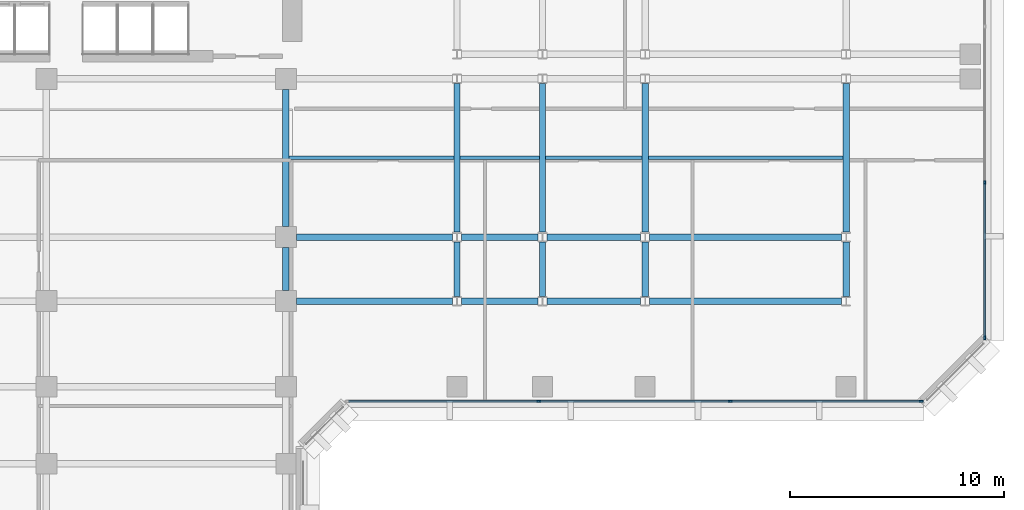
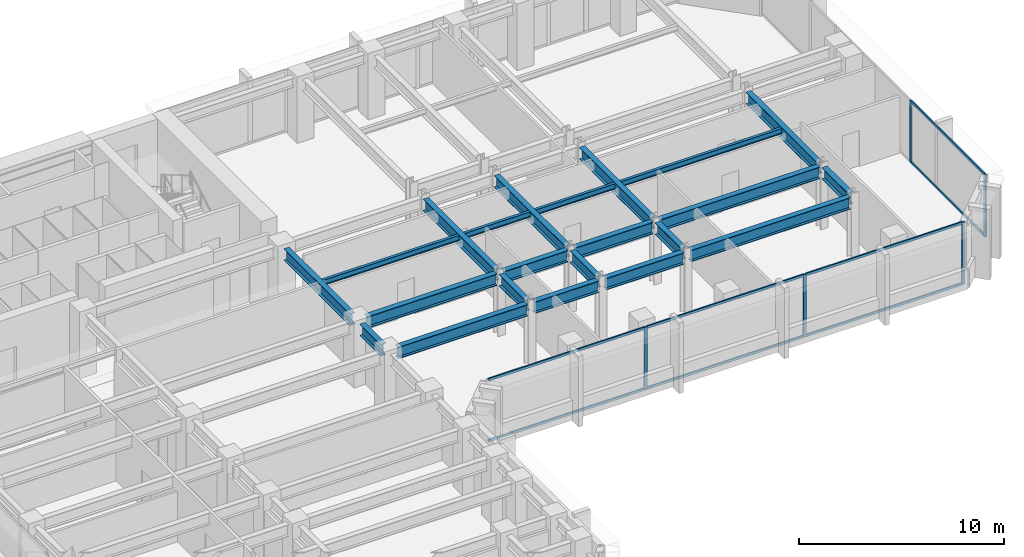
# One storey, part 3 of 13: 22 beams, 13 members, 2 elements without a shape of their own.
"""IFC4 building model written with IfcOpenShell, lengths in metres."""

from ifc_helpers import new_model, si_unit, direction, frame, origin, origin_2d, place, context, subcontext, project, spatial, rectangle, i_section, extrude, material, layer, layer_set, material_profile, profile_set, type_object, element, aggregate, save


model = new_model("IFC4")

# Units and contexts
model_context = context("Model", 3, precision=1e-05, world=origin(), true_north=direction((0.0, 1.0)))
body_context = subcontext(model_context, "Body", "Model", "MODEL_VIEW")
ifc_project = project(units=[si_unit("LENGTHUNIT", "METRE"), si_unit("AREAUNIT", "SQUARE_METRE"), si_unit("VOLUMEUNIT", "CUBIC_METRE"), si_unit("PLANEANGLEUNIT", "RADIAN"), si_unit("MASSUNIT", "GRAM", prefix="KILO")], contexts=[model_context])

# Site, building, storey
site_placement = place(None, origin())
site = spatial("IfcSite", under=ifc_project, at=site_placement, CompositionType="ELEMENT")
building_placement = place(site_placement, origin())
building = spatial("IfcBuilding", under=site, at=building_placement, Name="Kefirva Bronze Tower", CompositionType="ELEMENT")
storey_placement = place(building_placement, frame((0.0, 0.0, 106.590087890625)))
storey = spatial("IfcBuildingStorey", under=building, at=storey_placement, Name="L25", CompositionType="ELEMENT", Elevation=106.590087890625)

# Curtain wall, members
ifc_material_1 = material(Name="Bronze anodised aluminium", Category="aluminium")
ifc_layer = layer(ifc_material_1, 0.199951171875, Name="Bronze anodised aluminium")
ifc_layer_set = layer_set([ifc_layer], Name="Bronze anodised aluminium")
curtain_wall_type = type_object("IfcCurtainWallType", Name="Unitised Bronze Ribbon Curtain Wall Zone 1", PredefinedType="USERDEFINED", material=ifc_layer_set)
curtain_wall_1_placement = place(storey_placement, origin())
curtain_wall_1 = element("IfcCurtainWall", 1, at=curtain_wall_1_placement, inside=storey, type_object=curtain_wall_type, Name="L25 Curtain Wall 2", ObjectType="UNITISED CURTAIN WALL", PredefinedType="USERDEFINED")
ifc_material_profile_1 = material_profile(ifc_material_1, rectangle(XDim=0.074951171875, YDim=0.179931640625, at=origin_2d()), Name="ALU 75x180")
ifc_profile_set_1 = profile_set([ifc_material_profile_1], Name="Bronze anodised aluminium")
member_type_1 = type_object("IfcMemberType", Name="Bronze Mullion 75x180", PredefinedType="MULLION", material=ifc_profile_set_1)
member_1_placement = place(storey_placement, frame((35.018310546875, 18.1201171875, 0.0), z_axis=(0.0, 0.0, 1.0), x_axis=(0.0, 1.0, 0.0)))
member_1 = element("IfcMember", 2, at=member_1_placement, type_object=member_type_1, Name="CW-01 mullion 2", PredefinedType="MULLION", context=body_context, shape_type="SweptSolid", body=[
    extrude(rectangle(XDim=0.074951171875, YDim=0.179931640625, at=origin_2d()), origin(), (0.0, 0.0, 1.0), 3.7099609375),
])
member_2_placement = place(storey_placement, frame((43.981689453125, 18.1201171875, 0.0), z_axis=(0.0, 0.0, 1.0), x_axis=(0.0, 1.0, 0.0)))
member_2 = element("IfcMember", 3, at=member_2_placement, type_object=member_type_1, Name="CW-01 mullion 3", PredefinedType="MULLION", context=body_context, shape_type="SweptSolid", body=[
    extrude(rectangle(XDim=0.074951171875, YDim=0.179931640625, at=origin_2d()), origin(), (0.0, 0.0, 1.0), 3.7099609375),
])
member_3_placement = place(storey_placement, frame((52.907470703125, 18.1201171875, 0.0), z_axis=(0.0, 0.0, 1.0), x_axis=(0.0, 1.0, 0.0)))
member_3 = element("IfcMember", 4, at=member_3_placement, type_object=member_type_1, Name="CW-01 mullion 4", PredefinedType="MULLION", context=body_context, shape_type="SweptSolid", body=[
    extrude(rectangle(XDim=0.074951171875, YDim=0.179931640625, at=origin_2d()), origin(), (0.0, 0.0, 1.0), 3.7099609375),
])

curtain_wall_2_placement = place(storey_placement, origin())
curtain_wall_2 = element("IfcCurtainWall", 5, at=curtain_wall_2_placement, inside=storey, type_object=curtain_wall_type, Name="L25 Curtain Wall 3", ObjectType="UNITISED CURTAIN WALL", PredefinedType="USERDEFINED")
member_4_placement = place(storey_placement, frame((55.8798828125, 21.092529296875, 0.0), z_axis=(0.0, 0.0, 1.0), x_axis=(-1.0, 0.0, 0.0)))
member_4 = element("IfcMember", 6, at=member_4_placement, type_object=member_type_1, Name="CW-01 mullion 1", PredefinedType="MULLION", context=body_context, shape_type="SweptSolid", body=[
    extrude(rectangle(XDim=0.074951171875, YDim=0.179931640625, at=origin_2d()), origin(), (0.0, 0.0, 1.0), 3.7099609375),
])
member_5_placement = place(storey_placement, frame((55.8798828125, 28.3515625, 0.0), z_axis=(0.0, 0.0, 1.0), x_axis=(-1.0, 0.0, 0.0)))
member_5 = element("IfcMember", 7, at=member_5_placement, type_object=member_type_1, Name="CW-01 mullion 2", PredefinedType="MULLION", context=body_context, shape_type="SweptSolid", body=[
    extrude(rectangle(XDim=0.074951171875, YDim=0.179931640625, at=origin_2d()), origin(), (0.0, 0.0, 1.0), 3.7099609375),
])

# Member
ifc_material_profile_2 = material_profile(ifc_material_1, rectangle(XDim=0.074951171875, YDim=0.14990234375, at=origin_2d()), Name="ALU 75x150")
ifc_profile_set_2 = profile_set([ifc_material_profile_2], Name="Bronze anodised aluminium")
member_type_2 = type_object("IfcMemberType", Name="Bronze Transom 75x150", PredefinedType="USERDEFINED", material=ifc_profile_set_2)
member_6_placement = place(storey_placement, frame((26.1298828125, 18.1201171875, 0.037353515625), z_axis=(1.0, 0.0, 0.0), x_axis=(0.0, 1.0, 0.0)))
member_6 = element("IfcMember", 8, at=member_6_placement, type_object=member_type_2, Name="CW-01 transom 1.1", ObjectType="TRANSOM", PredefinedType="USERDEFINED", context=body_context, shape_type="SweptSolid", body=[
    extrude(rectangle(XDim=0.074951171875, YDim=0.14990234375, at=origin_2d()), origin(), (0.0, 0.0, 1.0), 8.850830078125),
])

member_7_placement = place(storey_placement, frame((26.1298828125, 18.1201171875, 3.67236328125), z_axis=(1.0, 0.0, 0.0), x_axis=(0.0, 1.0, 0.0)))
member_7 = element("IfcMember", 9, at=member_7_placement, type_object=member_type_2, Name="CW-01 transom 1.2", ObjectType="TRANSOM", PredefinedType="USERDEFINED", context=body_context, shape_type="SweptSolid", body=[
    extrude(rectangle(XDim=0.074951171875, YDim=0.14990234375, at=origin_2d()), origin(), (0.0, 0.0, 1.0), 8.850830078125),
])

member_8_placement = place(storey_placement, frame((35.055908203125, 18.1201171875, 0.037353515625), z_axis=(1.0, 0.0, 0.0), x_axis=(0.0, 1.0, 0.0)))
member_8 = element("IfcMember", 10, at=member_8_placement, type_object=member_type_2, Name="CW-01 transom 2.1", ObjectType="TRANSOM", PredefinedType="USERDEFINED", context=body_context, shape_type="SweptSolid", body=[
    extrude(rectangle(XDim=0.074951171875, YDim=0.14990234375, at=origin_2d()), origin(), (0.0, 0.0, 1.0), 8.88818359375),
])

member_9_placement = place(storey_placement, frame((35.055908203125, 18.1201171875, 3.67236328125), z_axis=(1.0, 0.0, 0.0), x_axis=(0.0, 1.0, 0.0)))
member_9 = element("IfcMember", 11, at=member_9_placement, type_object=member_type_2, Name="CW-01 transom 2.2", ObjectType="TRANSOM", PredefinedType="USERDEFINED", context=body_context, shape_type="SweptSolid", body=[
    extrude(rectangle(XDim=0.074951171875, YDim=0.14990234375, at=origin_2d()), origin(), (0.0, 0.0, 1.0), 8.88818359375),
])

member_10_placement = place(storey_placement, frame((44.019287109375, 18.1201171875, 0.037353515625), z_axis=(1.0, 0.0, 0.0), x_axis=(0.0, 1.0, 0.0)))
member_10 = element("IfcMember", 12, at=member_10_placement, type_object=member_type_2, Name="CW-01 transom 3.1", ObjectType="TRANSOM", PredefinedType="USERDEFINED", context=body_context, shape_type="SweptSolid", body=[
    extrude(rectangle(XDim=0.074951171875, YDim=0.14990234375, at=origin_2d()), origin(), (0.0, 0.0, 1.0), 8.850830078125),
])

member_11_placement = place(storey_placement, frame((44.019287109375, 18.1201171875, 3.67236328125), z_axis=(1.0, 0.0, 0.0), x_axis=(0.0, 1.0, 0.0)))
member_11 = element("IfcMember", 13, at=member_11_placement, type_object=member_type_2, Name="CW-01 transom 3.2", ObjectType="TRANSOM", PredefinedType="USERDEFINED", context=body_context, shape_type="SweptSolid", body=[
    extrude(rectangle(XDim=0.074951171875, YDim=0.14990234375, at=origin_2d()), origin(), (0.0, 0.0, 1.0), 8.850830078125),
])

aggregate(curtain_wall_1, [member_1, member_2, member_3, member_6, member_7, member_8, member_9, member_10, member_11])

member_12_placement = place(storey_placement, frame((55.8798828125, 21.1298828125, 0.037353515625), z_axis=(0.0, 1.0, 0.0), x_axis=(-1.0, 0.0, 0.0)))
member_12 = element("IfcMember", 14, at=member_12_placement, type_object=member_type_2, Name="CW-01 transom 1.1", ObjectType="TRANSOM", PredefinedType="USERDEFINED", context=body_context, shape_type="SweptSolid", body=[
    extrude(rectangle(XDim=0.074951171875, YDim=0.14990234375, at=origin_2d()), origin(), (0.0, 0.0, 1.0), 7.184326171875),
])

member_13_placement = place(storey_placement, frame((55.8798828125, 21.1298828125, 3.67236328125), z_axis=(0.0, 1.0, 0.0), x_axis=(-1.0, 0.0, 0.0)))
member_13 = element("IfcMember", 15, at=member_13_placement, type_object=member_type_2, Name="CW-01 transom 1.2", ObjectType="TRANSOM", PredefinedType="USERDEFINED", context=body_context, shape_type="SweptSolid", body=[
    extrude(rectangle(XDim=0.074951171875, YDim=0.14990234375, at=origin_2d()), origin(), (0.0, 0.0, 1.0), 7.184326171875),
])

aggregate(curtain_wall_2, [member_4, member_5, member_12, member_13])

# Beams
ifc_material_2 = material(Name="Steel S355", Category="steel")
ifc_material_profile_3 = material_profile(ifc_material_2, i_section(OverallWidth=0.159912109375, OverallDepth=0.330078125, WebThickness=0.007568359375, FlangeThickness=0.011474609375, at=origin_2d()), Name="IPE 330")
ifc_profile_set_3 = profile_set([ifc_material_profile_3], Name="Steel S355")
beam_type_1 = type_object("IfcBeamType", Name="Steel Floor Joist IPE 330", PredefinedType="JOIST", material=ifc_profile_set_3)
beam_1_placement = place(storey_placement, frame((23.35009765625, 29.5, 3.544921875), z_axis=(1.0, 0.0, 0.0), x_axis=(0.0, 1.0, 0.0)))
element("IfcBeam", 16, at=beam_1_placement, inside=storey, type_object=beam_type_1, Name="L25 JST-L25-23-295", PredefinedType="JOIST", context=body_context, shape_type="SweptSolid", body=[
    extrude(i_section(OverallWidth=0.159912109375, OverallDepth=0.330078125, WebThickness=0.007568359375, FlangeThickness=0.011474609375, at=origin_2d()), origin(), (0.0, 0.0, 1.0), 7.699951171875),
])
beam_2_placement = place(storey_placement, frame((31.35009765625, 29.5, 3.544921875), z_axis=(1.0, 0.0, 0.0), x_axis=(0.0, 1.0, 0.0)))
element("IfcBeam", 17, at=beam_2_placement, inside=storey, type_object=beam_type_1, Name="L25 JST-L25-31-295", PredefinedType="JOIST", context=body_context, shape_type="SweptSolid", body=[
    extrude(i_section(OverallWidth=0.159912109375, OverallDepth=0.330078125, WebThickness=0.007568359375, FlangeThickness=0.011474609375, at=origin_2d()), origin(), (0.0, 0.0, 1.0), 3.699951171875),
])
beam_3_placement = place(storey_placement, frame((35.35009765625, 29.5, 3.544921875), z_axis=(1.0, 0.0, 0.0), x_axis=(0.0, 1.0, 0.0)))
element("IfcBeam", 18, at=beam_3_placement, inside=storey, type_object=beam_type_1, Name="L25 JST-L25-35-295", PredefinedType="JOIST", context=body_context, shape_type="SweptSolid", body=[
    extrude(i_section(OverallWidth=0.159912109375, OverallDepth=0.330078125, WebThickness=0.007568359375, FlangeThickness=0.011474609375, at=origin_2d()), origin(), (0.0, 0.0, 1.0), 4.5),
])
beam_4_placement = place(storey_placement, frame((40.14990234375, 29.5, 3.544921875), z_axis=(1.0, 0.0, 0.0), x_axis=(0.0, 1.0, 0.0)))
element("IfcBeam", 19, at=beam_4_placement, inside=storey, type_object=beam_type_1, Name="L25 JST-L25-40-295", PredefinedType="JOIST", context=body_context, shape_type="SweptSolid", body=[
    extrude(i_section(OverallWidth=0.159912109375, OverallDepth=0.330078125, WebThickness=0.007568359375, FlangeThickness=0.011474609375, at=origin_2d()), origin(), (0.0, 0.0, 1.0), 9.10009765625),
])
ifc_material_profile_4 = material_profile(ifc_material_2, i_section(OverallWidth=0.300048828125, OverallDepth=0.699951171875, WebThickness=0.01708984375, FlangeThickness=0.031982421875, at=origin_2d()), Name="HEB 700")
ifc_profile_set_4 = profile_set([ifc_material_profile_4], Name="Steel S355")
beam_type_2 = type_object("IfcBeamType", Name="Steel Girder HEB 700", PredefinedType="USERDEFINED", material=ifc_profile_set_4)
beam_5_placement = place(storey_placement, frame((23.68994140625, 22.800048828125, 3.35986328125), z_axis=(1.0, 0.0, 0.0), x_axis=(0.0, 1.0, 0.0)))
element("IfcBeam", 20, at=beam_5_placement, inside=storey, type_object=beam_type_2, Name="L25 BM-L25-EW-23-228", ObjectType="GIRDER", PredefinedType="USERDEFINED", context=body_context, shape_type="SweptSolid", body=[
    extrude(i_section(OverallWidth=0.300048828125, OverallDepth=0.699951171875, WebThickness=0.01708984375, FlangeThickness=0.031982421875, at=origin_2d()), origin(), (0.0, 0.0, 1.0), 7.301025390625),
])
beam_6_placement = place(storey_placement, frame((31.408935546875, 22.800048828125, 3.35986328125), z_axis=(1.0, 0.0, 0.0), x_axis=(0.0, 1.0, 0.0)))
element("IfcBeam", 21, at=beam_6_placement, inside=storey, type_object=beam_type_2, Name="L25 BM-L25-EW-31-228", ObjectType="GIRDER", PredefinedType="USERDEFINED", context=body_context, shape_type="SweptSolid", body=[
    extrude(i_section(OverallWidth=0.300048828125, OverallDepth=0.699951171875, WebThickness=0.01708984375, FlangeThickness=0.031982421875, at=origin_2d()), origin(), (0.0, 0.0, 1.0), 3.58203125),
])
beam_7_placement = place(storey_placement, frame((35.408935546875, 22.800048828125, 3.35986328125), z_axis=(1.0, 0.0, 0.0), x_axis=(0.0, 1.0, 0.0)))
element("IfcBeam", 22, at=beam_7_placement, inside=storey, type_object=beam_type_2, Name="L25 BM-L25-EW-35-228", ObjectType="GIRDER", PredefinedType="USERDEFINED", context=body_context, shape_type="SweptSolid", body=[
    extrude(i_section(OverallWidth=0.300048828125, OverallDepth=0.699951171875, WebThickness=0.01708984375, FlangeThickness=0.031982421875, at=origin_2d()), origin(), (0.0, 0.0, 1.0), 4.382080078125),
])
beam_8_placement = place(storey_placement, frame((40.208984375, 22.800048828125, 3.35986328125), z_axis=(1.0, 0.0, 0.0), x_axis=(0.0, 1.0, 0.0)))
element("IfcBeam", 23, at=beam_8_placement, inside=storey, type_object=beam_type_2, Name="L25 BM-L25-EW-40-228", ObjectType="GIRDER", PredefinedType="USERDEFINED", context=body_context, shape_type="SweptSolid", body=[
    extrude(i_section(OverallWidth=0.300048828125, OverallDepth=0.699951171875, WebThickness=0.01708984375, FlangeThickness=0.031982421875, at=origin_2d()), origin(), (0.0, 0.0, 1.0), 8.98193359375),
])
beam_9_placement = place(storey_placement, frame((23.68994140625, 25.800048828125, 3.35986328125), z_axis=(1.0, 0.0, 0.0), x_axis=(0.0, 1.0, 0.0)))
element("IfcBeam", 24, at=beam_9_placement, inside=storey, type_object=beam_type_2, Name="L25 BM-L25-EW-23-258", ObjectType="GIRDER", PredefinedType="USERDEFINED", context=body_context, shape_type="SweptSolid", body=[
    extrude(i_section(OverallWidth=0.300048828125, OverallDepth=0.699951171875, WebThickness=0.01708984375, FlangeThickness=0.031982421875, at=origin_2d()), origin(), (0.0, 0.0, 1.0), 7.301025390625),
])
beam_10_placement = place(storey_placement, frame((31.408935546875, 25.800048828125, 3.35986328125), z_axis=(1.0, 0.0, 0.0), x_axis=(0.0, 1.0, 0.0)))
element("IfcBeam", 25, at=beam_10_placement, inside=storey, type_object=beam_type_2, Name="L25 BM-L25-EW-31-258", ObjectType="GIRDER", PredefinedType="USERDEFINED", context=body_context, shape_type="SweptSolid", body=[
    extrude(i_section(OverallWidth=0.300048828125, OverallDepth=0.699951171875, WebThickness=0.01708984375, FlangeThickness=0.031982421875, at=origin_2d()), origin(), (0.0, 0.0, 1.0), 3.58203125),
])
beam_11_placement = place(storey_placement, frame((35.408935546875, 25.800048828125, 3.35986328125), z_axis=(1.0, 0.0, 0.0), x_axis=(0.0, 1.0, 0.0)))
element("IfcBeam", 26, at=beam_11_placement, inside=storey, type_object=beam_type_2, Name="L25 BM-L25-EW-35-258", ObjectType="GIRDER", PredefinedType="USERDEFINED", context=body_context, shape_type="SweptSolid", body=[
    extrude(i_section(OverallWidth=0.300048828125, OverallDepth=0.699951171875, WebThickness=0.01708984375, FlangeThickness=0.031982421875, at=origin_2d()), origin(), (0.0, 0.0, 1.0), 4.382080078125),
])
beam_12_placement = place(storey_placement, frame((40.208984375, 25.800048828125, 3.35986328125), z_axis=(1.0, 0.0, 0.0), x_axis=(0.0, 1.0, 0.0)))
element("IfcBeam", 27, at=beam_12_placement, inside=storey, type_object=beam_type_2, Name="L25 BM-L25-EW-40-258", ObjectType="GIRDER", PredefinedType="USERDEFINED", context=body_context, shape_type="SweptSolid", body=[
    extrude(i_section(OverallWidth=0.300048828125, OverallDepth=0.699951171875, WebThickness=0.01708984375, FlangeThickness=0.031982421875, at=origin_2d()), origin(), (0.0, 0.0, 1.0), 8.98193359375),
])
beam_13_placement = place(storey_placement, frame((23.199951171875, 23.2900390625, 3.35986328125), z_axis=(0.0, 1.0, 0.0), x_axis=(-1.0, 0.0, 0.0)))
element("IfcBeam", 28, at=beam_13_placement, inside=storey, type_object=beam_type_2, Name="L25 BM-L25-NS-232-22", ObjectType="GIRDER", PredefinedType="USERDEFINED", context=body_context, shape_type="SweptSolid", body=[
    extrude(i_section(OverallWidth=0.300048828125, OverallDepth=0.699951171875, WebThickness=0.01708984375, FlangeThickness=0.031982421875, at=origin_2d()), origin(), (0.0, 0.0, 1.0), 2.02001953125),
])
beam_14_placement = place(storey_placement, frame((23.199951171875, 26.2900390625, 3.35986328125), z_axis=(0.0, 1.0, 0.0), x_axis=(-1.0, 0.0, 0.0)))
element("IfcBeam", 29, at=beam_14_placement, inside=storey, type_object=beam_type_2, Name="L25 BM-L25-NS-232-25", ObjectType="GIRDER", PredefinedType="USERDEFINED", context=body_context, shape_type="SweptSolid", body=[
    extrude(i_section(OverallWidth=0.300048828125, OverallDepth=0.699951171875, WebThickness=0.01708984375, FlangeThickness=0.031982421875, at=origin_2d()), origin(), (0.0, 0.0, 1.0), 6.419921875),
])
beam_15_placement = place(storey_placement, frame((31.199951171875, 23.027587890625, 3.35986328125), z_axis=(0.0, 1.0, 0.0), x_axis=(-1.0, 0.0, 0.0)))
element("IfcBeam", 30, at=beam_15_placement, inside=storey, type_object=beam_type_2, Name="L25 BM-L25-NS-312-22", ObjectType="GIRDER", PredefinedType="USERDEFINED", context=body_context, shape_type="SweptSolid", body=[
    extrude(i_section(OverallWidth=0.300048828125, OverallDepth=0.699951171875, WebThickness=0.01708984375, FlangeThickness=0.031982421875, at=origin_2d()), origin(), (0.0, 0.0, 1.0), 2.544921875),
])
beam_16_placement = place(storey_placement, frame((31.199951171875, 26.027587890625, 3.35986328125), z_axis=(0.0, 1.0, 0.0), x_axis=(-1.0, 0.0, 0.0)))
element("IfcBeam", 31, at=beam_16_placement, inside=storey, type_object=beam_type_2, Name="L25 BM-L25-NS-312-25", ObjectType="GIRDER", PredefinedType="USERDEFINED", context=body_context, shape_type="SweptSolid", body=[
    extrude(i_section(OverallWidth=0.300048828125, OverallDepth=0.699951171875, WebThickness=0.01708984375, FlangeThickness=0.031982421875, at=origin_2d()), origin(), (0.0, 0.0, 1.0), 6.94482421875),
])
beam_17_placement = place(storey_placement, frame((35.199951171875, 23.027587890625, 3.35986328125), z_axis=(0.0, 1.0, 0.0), x_axis=(-1.0, 0.0, 0.0)))
element("IfcBeam", 32, at=beam_17_placement, inside=storey, type_object=beam_type_2, Name="L25 BM-L25-NS-352-22", ObjectType="GIRDER", PredefinedType="USERDEFINED", context=body_context, shape_type="SweptSolid", body=[
    extrude(i_section(OverallWidth=0.300048828125, OverallDepth=0.699951171875, WebThickness=0.01708984375, FlangeThickness=0.031982421875, at=origin_2d()), origin(), (0.0, 0.0, 1.0), 2.544921875),
])
beam_18_placement = place(storey_placement, frame((35.199951171875, 26.027587890625, 3.35986328125), z_axis=(0.0, 1.0, 0.0), x_axis=(-1.0, 0.0, 0.0)))
element("IfcBeam", 33, at=beam_18_placement, inside=storey, type_object=beam_type_2, Name="L25 BM-L25-NS-352-25", ObjectType="GIRDER", PredefinedType="USERDEFINED", context=body_context, shape_type="SweptSolid", body=[
    extrude(i_section(OverallWidth=0.300048828125, OverallDepth=0.699951171875, WebThickness=0.01708984375, FlangeThickness=0.031982421875, at=origin_2d()), origin(), (0.0, 0.0, 1.0), 6.94482421875),
])
beam_19_placement = place(storey_placement, frame((40.0, 23.027587890625, 3.35986328125), z_axis=(0.0, 1.0, 0.0), x_axis=(-1.0, 0.0, 0.0)))
element("IfcBeam", 34, at=beam_19_placement, inside=storey, type_object=beam_type_2, Name="L25 BM-L25-NS-400-22", ObjectType="GIRDER", PredefinedType="USERDEFINED", context=body_context, shape_type="SweptSolid", body=[
    extrude(i_section(OverallWidth=0.300048828125, OverallDepth=0.699951171875, WebThickness=0.01708984375, FlangeThickness=0.031982421875, at=origin_2d()), origin(), (0.0, 0.0, 1.0), 2.544921875),
])
beam_20_placement = place(storey_placement, frame((40.0, 26.027587890625, 3.35986328125), z_axis=(0.0, 1.0, 0.0), x_axis=(-1.0, 0.0, 0.0)))
element("IfcBeam", 35, at=beam_20_placement, inside=storey, type_object=beam_type_2, Name="L25 BM-L25-NS-400-25", ObjectType="GIRDER", PredefinedType="USERDEFINED", context=body_context, shape_type="SweptSolid", body=[
    extrude(i_section(OverallWidth=0.300048828125, OverallDepth=0.699951171875, WebThickness=0.01708984375, FlangeThickness=0.031982421875, at=origin_2d()), origin(), (0.0, 0.0, 1.0), 6.94482421875),
])
beam_21_placement = place(storey_placement, frame((49.39990234375, 23.027587890625, 3.35986328125), z_axis=(0.0, 1.0, 0.0), x_axis=(-1.0, 0.0, 0.0)))
element("IfcBeam", 36, at=beam_21_placement, inside=storey, type_object=beam_type_2, Name="L25 BM-L25-NS-494-22", ObjectType="GIRDER", PredefinedType="USERDEFINED", context=body_context, shape_type="SweptSolid", body=[
    extrude(i_section(OverallWidth=0.300048828125, OverallDepth=0.699951171875, WebThickness=0.01708984375, FlangeThickness=0.031982421875, at=origin_2d()), origin(), (0.0, 0.0, 1.0), 2.544921875),
])
beam_22_placement = place(storey_placement, frame((49.39990234375, 26.027587890625, 3.35986328125), z_axis=(0.0, 1.0, 0.0), x_axis=(-1.0, 0.0, 0.0)))
element("IfcBeam", 37, at=beam_22_placement, inside=storey, type_object=beam_type_2, Name="L25 BM-L25-NS-494-25", ObjectType="GIRDER", PredefinedType="USERDEFINED", context=body_context, shape_type="SweptSolid", body=[
    extrude(i_section(OverallWidth=0.300048828125, OverallDepth=0.699951171875, WebThickness=0.01708984375, FlangeThickness=0.031982421875, at=origin_2d()), origin(), (0.0, 0.0, 1.0), 6.94482421875),
])

save(model, "model.ifc")
